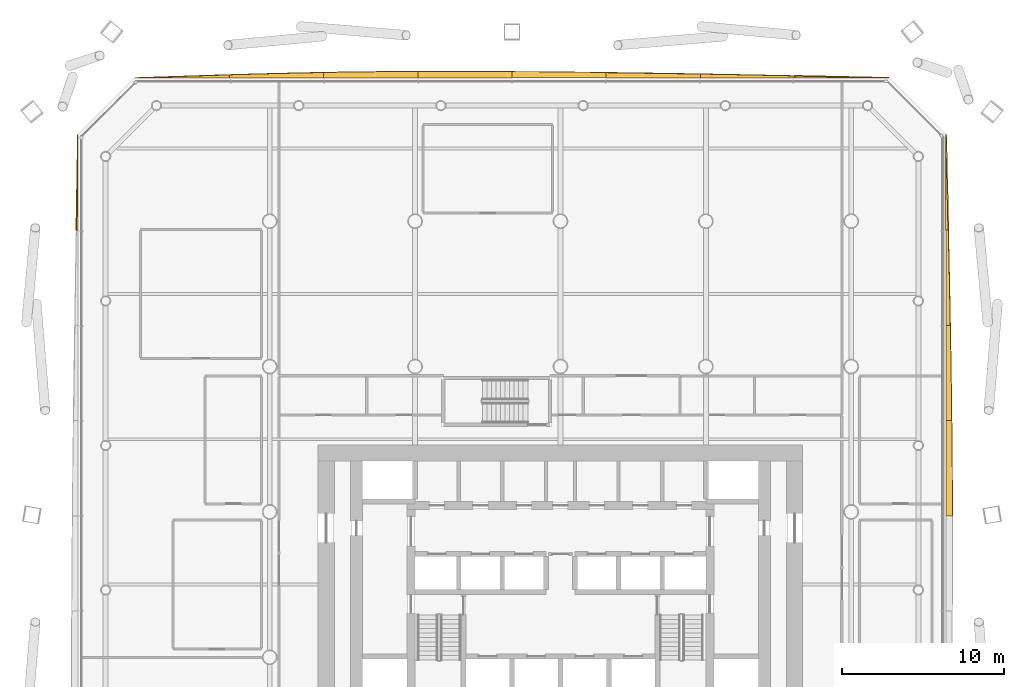
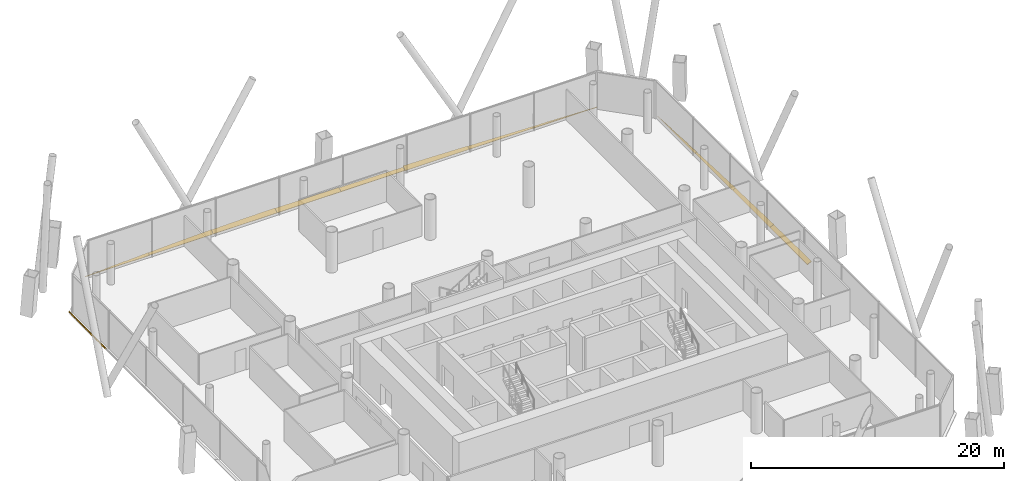
# One storey, part 25 of 25: 13 shading devices.
"""IFC4 building model written with IfcOpenShell, lengths in metres."""

from ifc_helpers import new_model, si_unit, direction, frame, origin, place, context, subcontext, project, spatial, polyline, outline, extrude, material, layer, layer_set, type_object, element, save


model = new_model("IFC4")

# Units and contexts
model_context = context("Model", 3, precision=1e-05, world=origin(), true_north=direction((0.0, 1.0)))
body_context = subcontext(model_context, "Body", "Model", "MODEL_VIEW")
ifc_project = project(units=[si_unit("LENGTHUNIT", "METRE"), si_unit("AREAUNIT", "SQUARE_METRE"), si_unit("VOLUMEUNIT", "CUBIC_METRE"), si_unit("PLANEANGLEUNIT", "RADIAN"), si_unit("MASSUNIT", "GRAM", prefix="KILO")], contexts=[model_context])

# Site, building, storey
site_placement = place(None, origin())
site = spatial("IfcSite", under=ifc_project, at=site_placement, CompositionType="ELEMENT")
building_placement = place(site_placement, origin())
building = spatial("IfcBuilding", under=site, at=building_placement, Name="Tskaro Facet Tower", CompositionType="ELEMENT")
storey_placement = place(building_placement, frame((0.0, 0.0, 34.199951171875)))
storey = spatial("IfcBuildingStorey", under=building, at=storey_placement, Name="L07", CompositionType="ELEMENT", Elevation=34.199951171875)

# Shading devices
ifc_material = material(Name="Bronze anodised aluminium 6063-T6", Category="aluminium")
ifc_layer = layer(ifc_material, 0.06005859375, Name="Bronze anodised aluminium 6063-T6")
ifc_layer_set = layer_set([ifc_layer], Name="Bronze anodised aluminium 6063-T6")
shading_device_type = type_object("IfcShadingDeviceType", Name="Bronze sun blade (FN1)", PredefinedType="USERDEFINED", material=ifc_layer_set)
shading_device_1_placement = place(storey_placement, frame((23.878662109375, -0.239013671875, 0.054443359375), z_axis=(-0.422607215346, -1.1080282e-05, 0.906312937905), x_axis=(-4.682607e-06, 0.999999999939, 1.0042203e-05)))
element("IfcShadingDevice", 1, at=shading_device_1_placement, inside=storey, type_object=shading_device_type, Name="Fin blade east 5", ObjectType="FIN", PredefinedType="USERDEFINED", context=body_context, shape_type="SweptSolid", body=[
    extrude(outline(polyline([(0.0, 0.0), (5.894531249638156, 0.0), (5.894531250462167, -0.38632250491209996), (5.157714843306961, -0.3951719763923962), (4.420898437129687, -0.40325446886164384), (3.6840820306218545, -0.41024553892303306), (2.9472656239487405, -0.4166908977804931), (2.2104492193967755, -0.42214800981978523), (1.4736328133710348, -0.42673496725833826), (0.7368164058715186, -0.43045177009615226), (-6.500632399511588e-10, -0.4334015939229176), (0.0, 0.0)])), origin(), (0.0, 0.0, -1.0), 0.06005859375),
])
shading_device_2_placement = place(storey_placement, frame((23.8740234375, 5.655517578125, 0.052001953125), z_axis=(-0.500032889217, 2.192704e-06, 0.866006414351), x_axis=(1.096424e-06, 0.999999999998, -1.898896e-06)))
element("IfcShadingDevice", 2, at=shading_device_2_placement, inside=storey, type_object=shading_device_type, Name="Fin blade east 6", ObjectType="FIN", PredefinedType="USERDEFINED", context=body_context, shape_type="SweptSolid", body=[
    extrude(outline(polyline([(0.0, 0.0), (5.89453124998583, -6.241077721712594e-22), (5.894531250045437, -0.3027615430493488), (5.157714843880493, -0.31796304840599254), (4.420898437376101, -0.3324081933787796), (3.6840820312635416, -0.34618632697287), (2.9472656250792166, -0.3594195275303579), (2.2104492185554436, -0.3718963677039892), (1.4736328126194191, -0.3833726908095755), (0.736816406148031, -0.3944261592206535), (-3.291167764483945e-12, -0.40426768321643236), (0.0, 0.0)])), origin(), (0.0, 0.0, -1.0), 0.06005859375),
])
shading_device_3_placement = place(storey_placement, frame((23.86962890625, 11.550048828125, 0.04931640625), z_axis=(-0.573338584274, 5.84501e-06, 0.819318538633), x_axis=(3.35117e-06, 0.999999999983, -4.788925e-06)))
element("IfcShadingDevice", 3, at=shading_device_3_placement, inside=storey, type_object=shading_device_type, Name="Fin blade east 7", ObjectType="FIN", PredefinedType="USERDEFINED", context=body_context, shape_type="SweptSolid", body=[
    extrude(outline(polyline([(0.0, 0.0), (5.89453124989931, 0.0), (5.894531249514439, -0.1710866582191756), (5.157714843960635, -0.1912674624402126), (4.420898437588676, -0.21124823772115006), (3.6840820307495723, -0.23068897988158496), (2.947265625430655, -0.249649742621313), (2.210449218475425, -0.2682104474808421), (1.4736328122222233, -0.2860911439795649), (0.7368164066710509, -0.30329183211748145), (-5.164351325993476e-10, -0.320092462375199), (0.0, 0.0)])), origin(), (0.0, 0.0, -1.0), 0.06005859375),
])
shading_device_4_placement = place(storey_placement, frame((23.865478515625, 17.444580078125, 0.0458984375), z_axis=(-0.643455028363, -1.6064197e-05, 0.765483916367), x_axis=(-1.0336589e-05, 0.999999999871, 1.2296885e-05)))
element("IfcShadingDevice", 4, at=shading_device_4_placement, inside=storey, type_object=shading_device_type, Name="Fin blade east 8", ObjectType="FIN", PredefinedType="USERDEFINED", context=body_context, shape_type="SweptSolid", body=[
    extrude(outline(polyline([(0.0, 0.0), (5.894531249239433, -9.98572435474015e-21), (5.157714844997562, -0.023382455484776146), (4.420898437753522, -0.04660781745674801), (3.684082033511651, -0.06999027294152416), (2.947265623265442, -0.09305854140069175), (2.210449218544983, -0.11609701765087033), (1.4736328103437673, -0.13863442115364702), (0.7368164046661326, -0.16098493893463045), (-1.490089964589739e-09, -0.18299147748101627), (0.0, 0.0)])), origin(), (0.0, 0.0, -1.0), 0.06005859375),
])
shading_device_5_placement = place(storey_placement, frame((20.339111328125, 26.8740234375, 0.052001953125), z_axis=(1.3203285e-05, -0.49984291067, 0.866116080257), x_axis=(-0.999999999913, -6.599568e-06, 1.1435578e-05)))
element("IfcShadingDevice", 5, at=shading_device_5_placement, inside=storey, type_object=shading_device_type, Name="Fin blade north 1", ObjectType="FIN", PredefinedType="USERDEFINED", context=body_context, shape_type="SweptSolid", body=[
    extrude(outline(polyline([(0.0, 0.0), (5.834960936991406, 0.0), (5.834960938013951, -0.14493091058898797), (5.1054687499653415, -0.1274276044937091), (4.376220701361044, -0.10959081231663204), (3.6467285165348806, -0.09166459797900349), (2.917480468361141, -0.07328286559895346), (2.188232421368066, -0.05523461930070157), (1.4587402325693475, -0.03685288692065155), (0.729492188798719, -0.01838173238005003), (0.0, 0.0)])), origin(), (0.0, 0.0, -1.0), 0.06005859375),
])
shading_device_6_placement = place(storey_placement, frame((14.504150390625, 26.86962890625, 0.04931640625), z_axis=(1.4376687e-05, -0.573265595199, 0.819369609611), x_axis=(-0.999999999897, -8.24166e-06, 1.1779821e-05)))
element("IfcShadingDevice", 6, at=shading_device_6_placement, inside=storey, type_object=shading_device_type, Name="Fin blade north 2", ObjectType="FIN", PredefinedType="USERDEFINED", context=body_context, shape_type="SweptSolid", body=[
    extrude(outline(polyline([(0.0, 0.0), (5.834716796272014, 0.0), (5.8347167987131305, -0.29063129175168056), (5.105224608645649, -0.27471071510771167), (4.375976561215269, -0.25859009705512576), (3.6467285149332014, -0.2419294387645882), (2.917236327162352, -0.22492878164471608), (2.187988281164792, -0.20738808428689237), (1.4584960936784486, -0.1895073880997341), (0.72924804681708, -0.17162669191257585), (1.1040268478048816e-09, -0.15320595548746596), (0.0, 0.0)])), origin(), (0.0, 0.0, -1.0), 0.06005859375),
])
shading_device_7_placement = place(storey_placement, frame((8.66943359375, 26.865478515625, 0.0458984375), z_axis=(-1.9276262e-05, -0.643052391153, 0.765822186843), x_axis=(-0.999999999814, 1.2395646e-05, -1.4762189e-05)))
element("IfcShadingDevice", 7, at=shading_device_7_placement, inside=storey, type_object=shading_device_type, Name="Fin blade north 3", ObjectType="FIN", PredefinedType="USERDEFINED", context=body_context, shape_type="SweptSolid", body=[
    extrude(outline(polyline([(0.0, 0.0), (5.8347167957909845, 0.0), (5.834716798762066, -0.42578129209683446), (5.105224608702246, -0.41346568130261063), (4.3759765598451486, -0.4008061069883044), (3.646728515747641, -0.3873016104211202), (2.9172363285766667, -0.3732661820264842), (2.1879882801599044, -0.3583558582843139), (1.4587402323209115, -0.3431015710220612), (0.7292480480387833, -0.32734632502701294), (-1.093182637004266e-09, -0.3108731788971435), (0.0, 0.0)])), origin(), (0.0, 0.0, -1.0), 0.06005859375),
])
shading_device_8_placement = place(storey_placement, frame((2.834716796875, 26.883544921875, 0.056396484375), z_axis=(-4.042133e-06, -0.342095314105, 0.939665257446), x_axis=(-0.999999999992, 1.382795e-06, -3.798252e-06)))
element("IfcShadingDevice", 8, at=shading_device_8_placement, inside=storey, type_object=shading_device_type, Name="Fin blade north 4", ObjectType="FIN", PredefinedType="USERDEFINED", context=body_context, shape_type="SweptSolid", body=[
    extrude(outline(polyline([(0.0, 0.0), (5.834716796827334, 0.0), (5.834716797019078, -0.40477698100877735), (5.105468749889261, -0.39960413619729585), (4.375976562724156, -0.39411836155877306), (3.6467285157609735, -0.3876314257034722), (2.9172363278351954, -0.3809150793849258), (2.1879882813762417, -0.3733434629490513), (1.4587402339044988, -0.36508361512344), (0.7292480469871804, -0.3561979076437461), (1.966711879359739e-11, -0.3468533792375611), (0.0, 0.0)])), origin(), (0.0, 0.0, -1.0), 0.06005859375),
])
shading_device_9_placement = place(storey_placement, frame((-3.0, 26.878662109375, 0.054443359375), z_axis=(9.39805e-06, -0.422549983168, 0.906339622678), x_axis=(-0.999999999956, -3.971146e-06, 8.517825e-06)))
element("IfcShadingDevice", 9, at=shading_device_9_placement, inside=storey, type_object=shading_device_type, Name="Fin blade north 5", ObjectType="FIN", PredefinedType="USERDEFINED", context=body_context, shape_type="SweptSolid", body=[
    extrude(outline(polyline([(0.0, 0.0), (5.834716796617329, 2.471098682425601e-21), (5.834716796885211, -0.43558443780714284), (5.105468751292957, -0.43645458400697873), (5.041259765951274, -0.4366758583289314), (4.375976562715143, -0.43613014806803707), (3.646728514621808, -0.4352600018682012), (2.9174804683269975, -0.4334015967635656), (2.1879882812666867, -0.4309974813980358), (1.4587402346908545, -0.4280476557716116), (0.7292480462394926, -0.42422768394535154), (-7.578731135323011e-10, -0.41964072753624443), (0.0, 0.0)])), origin(), (0.0, 0.0, -1.0), 0.06005859375),
])
shading_device_10_placement = place(storey_placement, frame((-8.834716796875, 26.8740234375, 0.052001953125), z_axis=(-9.055956e-06, -0.500046588582, 0.865998504136), x_axis=(-0.999999999959, 4.5284e-06, -7.842445e-06)))
element("IfcShadingDevice", 10, at=shading_device_10_placement, inside=storey, type_object=shading_device_type, Name="Fin blade north 6", ObjectType="FIN", PredefinedType="USERDEFINED", context=body_context, shape_type="SweptSolid", body=[
    extrude(outline(polyline([(0.0, 0.0), (5.834716796635747, 4.942197364851202e-21), (5.834716796982359, -0.3847960620148076), (5.105468750186936, -0.3994526342499113), (4.375976562982668, -0.41268583434471606), (3.646728514408404, -0.42407281146710724), (2.9174804679649453, -0.43391433476252883), (2.1879882819217347, -0.44199897881492356), (1.4587402345085279, -0.4482373998949045), (0.7294921873114664, -0.4530524488345866), (-5.909124729873339e-10, -0.4558991931151844), (0.0, 0.0)])), origin(), (0.0, 0.0, -1.0), 0.06005859375),
])
shading_device_11_placement = place(storey_placement, frame((-14.66943359375, 26.86962890625, 0.04931640625), z_axis=(7.99008e-07, -0.573383800451, 0.819286895647), x_axis=(-1.0, -4.58138e-07, 6.54617e-07)))
element("IfcShadingDevice", 11, at=shading_device_11_placement, inside=storey, type_object=shading_device_type, Name="Fin blade north 7", ObjectType="FIN", PredefinedType="USERDEFINED", context=body_context, shape_type="SweptSolid", body=[
    extrude(outline(polyline([(0.0, 0.0), (5.8347167968731375, 0.0), (5.834716796795007, -0.23176904107895696), (5.105468750098026, -0.25785003608611745), (4.376220703097321, -0.2827710223313765), (3.6467285156473492, -0.3069519586529553), (2.9174804687423532, -0.3295728437831172), (2.1879882811803024, -0.350973685216027), (1.458740234482865, -0.37109444801633396), (0.7294921874337357, -0.3897151945605748), (-4.874852705824602e-11, -0.40671585497804796), (0.0, 0.0)])), origin(), (0.0, 0.0, -1.0), 0.06005859375),
])
shading_device_12_placement = place(storey_placement, frame((-20.504150390625, 26.865478515625, 0.0458984375), z_axis=(2.9972316e-05, -0.643426631048, 0.765507785434), x_axis=(-0.999999999551, -1.9284986e-05, 2.2944041e-05)))
element("IfcShadingDevice", 12, at=shading_device_12_placement, inside=storey, type_object=shading_device_type, Name="Fin blade north 8", ObjectType="FIN", PredefinedType="USERDEFINED", context=body_context, shape_type="SweptSolid", body=[
    extrude(outline(polyline([(0.0, 0.0), (5.834960934879112, -9.88480832000868e-21), (5.105468753908909, -0.032385492348274605), (4.376220702360452, -0.06445681153671659), (3.6467285148953517, -0.09634123917589647), (2.9174804671618193, -0.12788168868589794), (2.188232418534962, -0.15907816006672104), (1.4587402322048155, -0.18939978363992516), (0.7294921856062353, -0.21937742908395094), (-5.190530887067667e-09, -0.24797916201126305), (0.0, 0.0)])), origin(), (0.0, 0.0, -1.0), 0.06005859375),
])
shading_device_13_placement = place(storey_placement, frame((-29.8740234375, 23.339111328125, 0.052001953125), z_axis=(0.50065787415, -8.59537e-07, 0.865645246652), x_axis=(-4.30334e-07, -1.0, -7.44054e-07)))
element("IfcShadingDevice", 13, at=shading_device_13_placement, inside=storey, type_object=shading_device_type, Name="Fin blade west 1", ObjectType="FIN", PredefinedType="USERDEFINED", context=body_context, shape_type="SweptSolid", body=[
    extrude(outline(polyline([(0.0, 0.0), (5.894531249997823, -3.120538860856297e-22), (5.894531250001634, -0.11704117850504789), (5.157714843843358, -0.10259595296701961), (4.420898437503429, -0.08827295835529747), (3.684082031240093, -0.07361639364572325), (2.9472656249767564, -0.058959828936149025), (2.2104492187134186, -0.044303264226574796), (1.4736328124500822, -0.02964669951700057), (0.736816406263337, -0.01465656470957423), (0.0, 0.0)])), origin(), (0.0, 0.0, -1.0), 0.06005859375),
])

save(model, "model.ifc")
